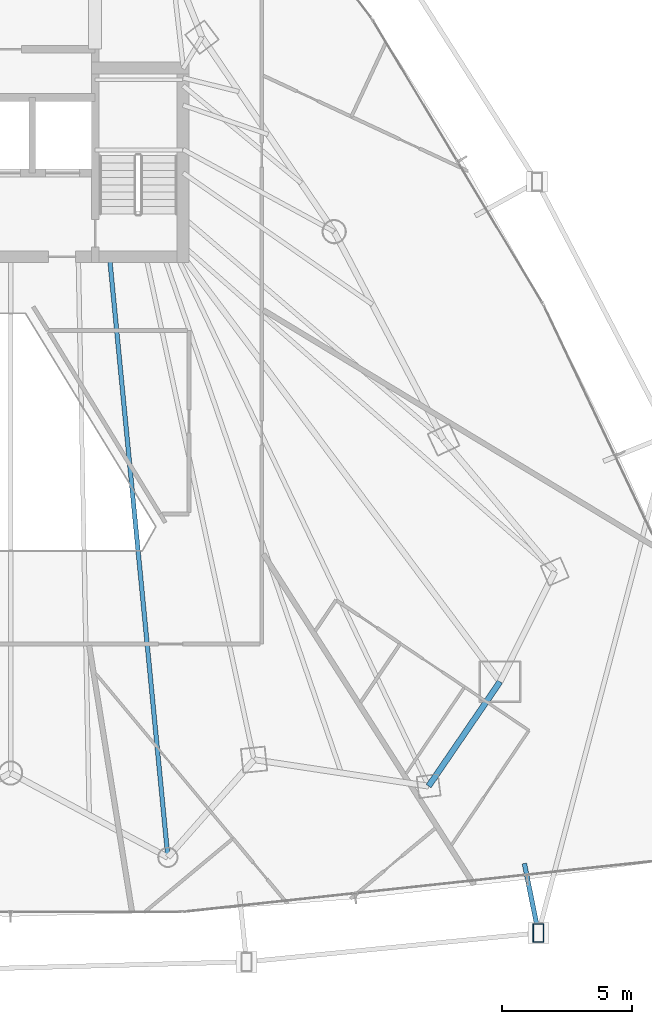
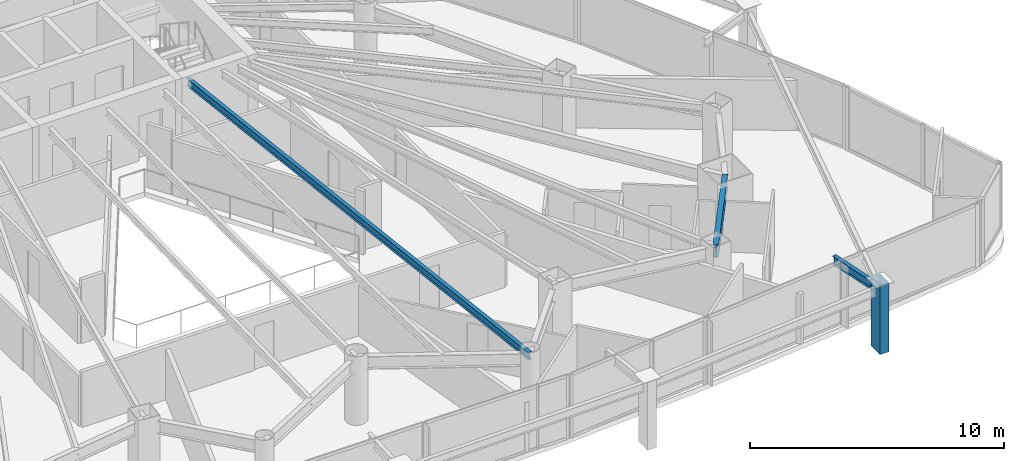
# One storey, part 15 of 38: 3 beams, 1 member.
"""IFC4 building model written with IfcOpenShell, lengths in metres."""

from ifc_helpers import new_model, si_unit, direction, frame, origin, origin_2d, place, context, subcontext, project, spatial, hollow_rectangle, i_section, extrude, material, material_profile, profile_set, type_object, element, save


model = new_model("IFC4")

# Units and contexts
model_context = context("Model", 3, precision=1e-05, world=origin(), true_north=direction((0.0, 1.0)))
body_context = subcontext(model_context, "Body", "Model", "MODEL_VIEW")
ifc_project = project(units=[si_unit("LENGTHUNIT", "METRE"), si_unit("AREAUNIT", "SQUARE_METRE"), si_unit("VOLUMEUNIT", "CUBIC_METRE"), si_unit("PLANEANGLEUNIT", "RADIAN"), si_unit("MASSUNIT", "GRAM", prefix="KILO")], contexts=[model_context])

# Site, building, storey
site_placement = place(None, origin())
site = spatial("IfcSite", under=ifc_project, at=site_placement, CompositionType="ELEMENT")
building_placement = place(site_placement, origin())
building = spatial("IfcBuilding", under=site, at=building_placement, Name="Orvanel Arch Residences", CompositionType="ELEMENT")
storey_placement = place(building_placement, frame((0.0, 0.0, 50.0)))
storey = spatial("IfcBuildingStorey", under=building, at=storey_placement, Name="L13", CompositionType="ELEMENT", Elevation=50.0)

# Beam
ifc_material_1 = material(Name="Structural steel AS/NZS 3679.1 Grade 300 (300 MPa)", Category="steel")
ifc_material_profile_1 = material_profile(ifc_material_1, i_section(OverallWidth=0.1708984375, OverallDepth=0.35595703125, WebThickness=0.00732421875, FlangeThickness=0.011474609375, at=origin_2d()), Name="360UB50.7")
ifc_profile_set_1 = profile_set([ifc_material_profile_1], Name="Structural steel AS/NZS 3679.1 Grade 300 (300 MPa)")
beam_type_1 = type_object("IfcBeamType", Name="BJ-360UB", PredefinedType="JOIST", material=ifc_profile_set_1)
beam_1_placement = place(storey_placement, frame((36.800048828125, 26.675048828125, 2.882080078125), z_axis=(0.096724091756, -0.995311232768, 0.0), x_axis=(0.995311232768, 0.096724091756, 0.0)))
element("IfcBeam", 1, at=beam_1_placement, inside=storey, type_object=beam_type_1, Name="L13 LSE Wing Floor Joist", PredefinedType="JOIST", context=body_context, shape_type="SweptSolid", body=[
    extrude(i_section(OverallWidth=0.1708984375, OverallDepth=0.35595703125, WebThickness=0.00732421875, FlangeThickness=0.011474609375, at=origin_2d()), origin(), (0.0, 0.0, 1.0), 23.1787109375),
])

# Member
ifc_material_2 = material(Name="Structural steel AS/NZS 3678 Grade 350", Category="steel")
ifc_material_profile_2 = material_profile(ifc_material_2, hollow_rectangle(XDim=0.419921875, YDim=0.719970703125, WallThickness=0.02490234375, at=origin_2d()), Name="RHS720x420x25")
ifc_profile_set_2 = profile_set([ifc_material_profile_2], Name="Structural steel AS/NZS 3678 Grade 350")
member_type = type_object("IfcMemberType", Name="CH-720RHS-EXT", PredefinedType="CHORD", material=ifc_profile_set_2)
member_placement = place(storey_placement, frame((53.27587890625, 0.699951171875, 0.0), z_axis=(0.0, 0.0, 1.0), x_axis=(1.0, 0.0, 0.0)))
element("IfcMember", 2, at=member_placement, inside=storey, type_object=member_type, Name="L13 Outer Perimeter Frame Post 08", PredefinedType="CHORD", context=body_context, shape_type="SweptSolid", body=[
    extrude(hollow_rectangle(XDim=0.419921875, YDim=0.719970703125, WallThickness=0.02490234375, at=origin_2d()), origin(), (0.0, 0.0, 1.0), 3.300048828125),
])

# Beams
ifc_material_profile_3 = material_profile(ifc_material_1, i_section(OverallWidth=0.177978515625, OverallDepth=0.406005859375, WebThickness=0.0078125, FlangeThickness=0.0126953125, at=origin_2d()), Name="410UB59.7")
ifc_profile_set_3 = profile_set([ifc_material_profile_3], Name="Structural steel AS/NZS 3679.1 Grade 300 (300 MPa)")
beam_type_2 = type_object("IfcBeamType", Name="OB-410UB-EXT", PredefinedType="SPANDREL", material=ifc_profile_set_3)
beam_2_placement = place(storey_placement, frame((52.738037109375, 3.3701171875, 2.85693359375), z_axis=(0.197460438573, -0.980310856412, 0.0), x_axis=(0.980310856412, 0.197460438573, 0.0)))
element("IfcBeam", 3, at=beam_2_placement, inside=storey, type_object=beam_type_2, Name="L13 Outer Frame Radial Tie Beam 08", PredefinedType="SPANDREL", context=body_context, shape_type="SweptSolid", body=[
    extrude(i_section(OverallWidth=0.177978515625, OverallDepth=0.406005859375, WebThickness=0.0078125, FlangeThickness=0.0126953125, at=origin_2d()), origin(), (0.0, 0.0, 1.0), 2.723876953125),
])
ifc_material_profile_4 = material_profile(ifc_material_1, i_section(OverallWidth=0.22900390625, OverallDepth=0.612060546875, WebThickness=0.011962890625, FlangeThickness=0.01953125, at=origin_2d()), Name="610UB125")
ifc_profile_set_4 = profile_set([ifc_material_profile_4], Name="Structural steel AS/NZS 3679.1 Grade 300 (300 MPa)")
beam_type_3 = type_object("IfcBeamType", Name="SP-610UB", PredefinedType="SPANDREL", material=ifc_profile_set_4)
beam_3_placement = place(storey_placement, frame((49.05908203125, 6.339111328125, 2.75390625), z_axis=(0.564251579852, 0.825602903722, 0.0), x_axis=(-0.825602903722, 0.564251579852, 0.0)))
element("IfcBeam", 4, at=beam_3_placement, inside=storey, type_object=beam_type_3, Name="L13 Perimeter Spandrel Beam 10", PredefinedType="SPANDREL", context=body_context, shape_type="SweptSolid", body=[
    extrude(i_section(OverallWidth=0.22900390625, OverallDepth=0.612060546875, WebThickness=0.011962890625, FlangeThickness=0.01953125, at=origin_2d()), origin(), (0.0, 0.0, 1.0), 4.859375),
])

save(model, "model.ifc")
